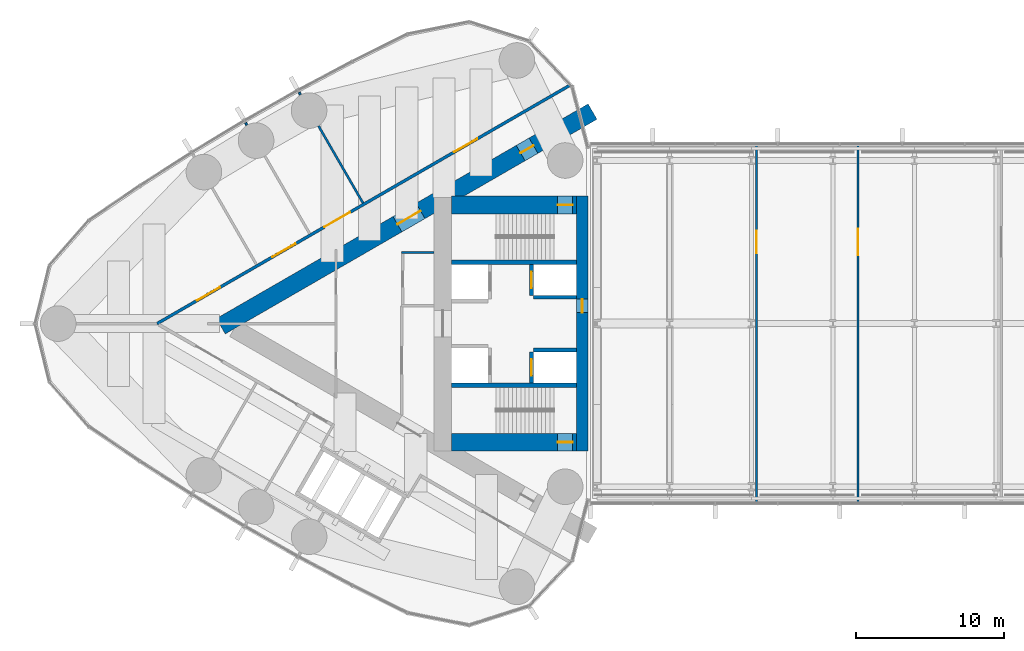
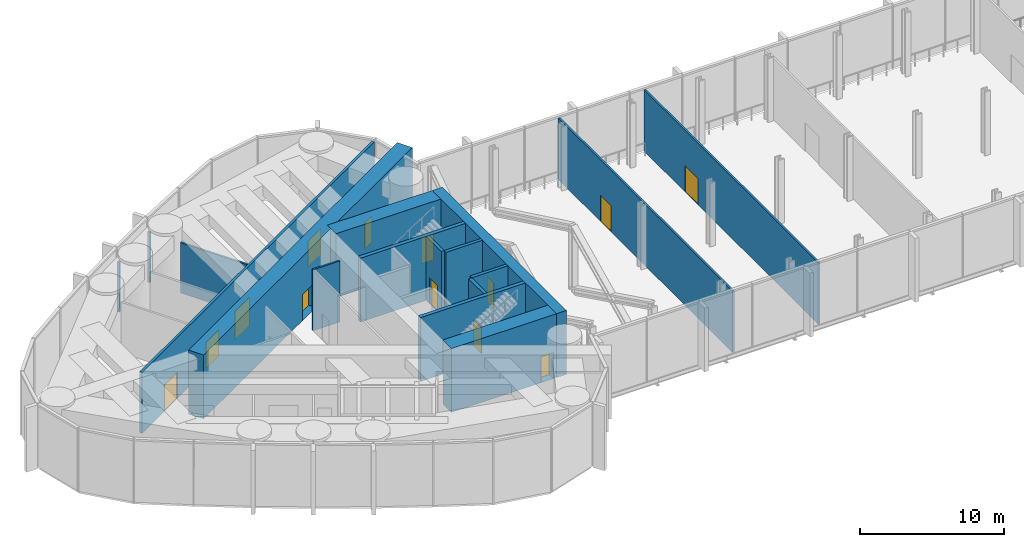
# One storey, part 16 of 21: 17 walls, 13 doors, 13 openings.
"""IFC4 building model written with IfcOpenShell, lengths in metres."""

from ifc_helpers import new_model, si_unit, direction, frame, frame_2d, origin, place, context, subcontext, project, spatial, rectangle, extrude, material, layer, layer_set, type_object, element, fill, save


model = new_model("IFC4")

# Units and contexts
model_context = context("Model", 3, precision=1e-05, world=origin(), true_north=direction((0.0, 1.0)))
body_context = subcontext(model_context, "Body", "Model", "MODEL_VIEW")
ifc_project = project(units=[si_unit("LENGTHUNIT", "METRE"), si_unit("AREAUNIT", "SQUARE_METRE"), si_unit("VOLUMEUNIT", "CUBIC_METRE"), si_unit("PLANEANGLEUNIT", "RADIAN"), si_unit("MASSUNIT", "GRAM", prefix="KILO")], contexts=[model_context])

# Site, building, storey
site_placement = place(None, origin())
site = spatial("IfcSite", under=ifc_project, at=site_placement, CompositionType="ELEMENT")
building_placement = place(site_placement, origin())
building = spatial("IfcBuilding", under=site, at=building_placement, Name="Lancet Gate Hotel", CompositionType="ELEMENT")
storey_placement = place(building_placement, frame((0.0, 0.0, 251.89990234375)))
storey = spatial("IfcBuildingStorey", under=building, at=storey_placement, Name="L67", CompositionType="ELEMENT", Elevation=251.89990234375)

# Wall, openings, doors
ifc_material_1 = material(Name="Concrete C70/85", Category="concrete")
ifc_layer_1 = layer(ifc_material_1, 1.199951171875)
ifc_layer_set_1 = layer_set([ifc_layer_1], Name="Buttress wall 1200")
wall_type_1 = type_object("IfcWallType", Name="Buttress wall 1200", PredefinedType="SHEAR", material=ifc_layer_set_1)
wall_1_placement = place(storey_placement, frame((-27.199951171875, 14.300048828125, 0.0), z_axis=(0.0, 0.0, 1.0), x_axis=(-0.866026593062, -0.499997940104, 0.0)))
wall_1 = element("IfcWall", 1, at=wall_1_placement, inside=storey, type_object=wall_type_1, Name="T1 buttress wall S L67", PredefinedType="SHEAR", context=body_context, shape_type="SweptSolid", body=[
    extrude(rectangle(XDim=28.9462890625, YDim=1.199951171875, at=frame_2d((14.47314453125, 0.0))), origin(), (0.0, 0.0, 1.0), 5.400146484375),
])
opening_1_placement = place(wall_1_placement, frame((4.60009765625, 0.0, 0.0)))
opening_1 = element("IfcOpeningElement", 2, at=opening_1_placement, cuts=wall_1, Name="Opening T1-L67-LS", PredefinedType="OPENING", context=body_context, shape_type="SweptSolid", body=[
    extrude(rectangle(XDim=1.0, YDim=2.199951171875, at=frame_2d((0.5, 1.10009765625))), frame((0.0, 0.60986328125, 0.0), z_axis=(0.0, -1.0, 0.0), x_axis=(1.0, 0.0, 0.0)), (0.0, 0.0, 1.0), 1.219970703125),
])
opening_2_placement = place(wall_1_placement, frame((13.39453125, 0.0, 0.0)))
opening_2 = element("IfcOpeningElement", 3, at=opening_2_placement, cuts=wall_1, Name="Opening T1-L67-LHS", PredefinedType="OPENING", context=body_context, shape_type="SweptSolid", body=[
    extrude(rectangle(XDim=1.800048828125, YDim=2.199951171875, at=frame_2d((0.89990234375, 1.10009765625))), frame((0.0, 0.60986328125, 0.0), z_axis=(0.0, -1.0, 0.0), x_axis=(1.0, 0.0, 0.0)), (0.0, 0.0, 1.0), 1.219970703125),
])
ifc_material_2 = material(Name="Timber door set", Category="wood")
door_type_1 = type_object("IfcDoorType", Name="Lobby double door 1800", OperationType="DOUBLE_DOOR_SINGLE_SWING", PredefinedType="DOOR", material=ifc_material_2)
door_1_placement = place(opening_2_placement, origin())
door_1 = element("IfcDoor", 4, at=door_1_placement, inside=storey, type_object=door_type_1, Name="T1-L67-LHS", OperationType="DOUBLE_DOOR_SINGLE_SWING", OverallHeight=2.199951171875, OverallWidth=1.800048828125, PredefinedType="DOOR", context=body_context, shape_type="SweptSolid", body=[
    extrude(rectangle(XDim=1.800048828125, YDim=2.199951171875, at=frame_2d((0.89990234375, 1.10009765625))), frame((0.0, 0.02490234375, 0.0), z_axis=(0.0, -1.0, 0.0), x_axis=(1.0, 0.0, 0.0)), (0.0, 0.0, 1.0), 0.050048828125),
])
fill(opening_2, door_1)
ifc_material_3 = material(Name="Timber door set", Category="wood")
door_type_2 = type_object("IfcDoorType", Name="Stair lobby door 1000", OperationType="SINGLE_SWING_LEFT", PredefinedType="DOOR", material=ifc_material_3)
door_2_placement = place(opening_1_placement, origin())
door_2 = element("IfcDoor", 5, at=door_2_placement, inside=storey, type_object=door_type_2, Name="T1-L67-LS", OperationType="SINGLE_SWING_LEFT", OverallHeight=2.199951171875, OverallWidth=1.0, PredefinedType="DOOR", context=body_context, shape_type="SweptSolid", body=[
    extrude(rectangle(XDim=1.0, YDim=2.199951171875, at=frame_2d((0.5, 1.10009765625))), frame((0.0, 0.02490234375, 0.0), z_axis=(0.0, -1.0, 0.0), x_axis=(1.0, 0.0, 0.0)), (0.0, 0.0, 1.0), 0.050048828125),
])
fill(opening_1, door_2)

# Wall, opening, door
ifc_material_4 = material(Name="Concrete C70/85", Category="concrete")
ifc_layer_2 = layer(ifc_material_4, 1.199951171875)
ifc_layer_set_2 = layer_set([ifc_layer_2], Name="Core wall 1200")
wall_type_2 = type_object("IfcWallType", Name="Core wall 1200", PredefinedType="SHEAR", material=ifc_layer_set_2)
wall_2_placement = place(storey_placement, frame((-28.300048828125, 8.0, 0.0), z_axis=(0.0, 0.0, 1.0), x_axis=(-1.0, 0.0, 0.0)))
wall_2 = element("IfcWall", 6, at=wall_2_placement, inside=storey, type_object=wall_type_2, Name="T1 core wall side-S L67", PredefinedType="SHEAR", context=body_context, shape_type="SweptSolid", body=[
    extrude(rectangle(XDim=8.39990234375, YDim=1.199951171875, at=frame_2d((4.199951171875, 0.0))), origin(), (0.0, 0.0, 1.0), 5.400146484375),
])
opening_3_placement = place(wall_2_placement, frame((0.25, 0.0, 0.0)))
opening_3 = element("IfcOpeningElement", 7, at=opening_3_placement, cuts=wall_2, Name="Opening T1-L67-ST1", PredefinedType="OPENING", context=body_context, shape_type="SweptSolid", body=[
    extrude(rectangle(XDim=1.0, YDim=2.199951171875, at=frame_2d((0.5, 1.10009765625))), frame((0.0, 0.60986328125, 0.0), z_axis=(0.0, -1.0, 0.0), x_axis=(1.0, 0.0, 0.0)), (0.0, 0.0, 1.0), 1.219970703125),
])
ifc_material_5 = material(Name="Timber door set", Category="wood")
door_type_3 = type_object("IfcDoorType", Name="Stair door 1000", OperationType="SINGLE_SWING_RIGHT", PredefinedType="DOOR", material=ifc_material_5)
door_3_placement = place(opening_3_placement, origin())
door_3 = element("IfcDoor", 8, at=door_3_placement, inside=storey, type_object=door_type_3, Name="T1-L67-ST1", OperationType="SINGLE_SWING_RIGHT", OverallHeight=2.199951171875, OverallWidth=1.0, PredefinedType="DOOR", context=body_context, shape_type="SweptSolid", body=[
    extrude(rectangle(XDim=1.0, YDim=2.199951171875, at=frame_2d((0.5, 1.10009765625))), frame((0.0, 0.02490234375, 0.0), z_axis=(0.0, -1.0, 0.0), x_axis=(1.0, 0.0, 0.0)), (0.0, 0.0, 1.0), 0.050048828125),
])
fill(opening_3, door_3)

wall_3_placement = place(storey_placement, frame((-28.300048828125, -8.0, 0.0), z_axis=(0.0, 0.0, 1.0), x_axis=(-1.0, 0.0, 0.0)))
wall_3 = element("IfcWall", 9, at=wall_3_placement, inside=storey, type_object=wall_type_2, Name="T1 core wall side-N L67", PredefinedType="SHEAR", context=body_context, shape_type="SweptSolid", body=[
    extrude(rectangle(XDim=8.39990234375, YDim=1.199951171875, at=frame_2d((4.199951171875, 0.0))), origin(), (0.0, 0.0, 1.0), 5.400146484375),
])
opening_4_placement = place(wall_3_placement, frame((0.25, 0.0, 0.0)))
opening_4 = element("IfcOpeningElement", 10, at=opening_4_placement, cuts=wall_3, Name="Opening T1-L67-ST2", PredefinedType="OPENING", context=body_context, shape_type="SweptSolid", body=[
    extrude(rectangle(XDim=1.0, YDim=2.199951171875, at=frame_2d((0.5, 1.10009765625))), frame((0.0, 0.60986328125, 0.0), z_axis=(0.0, -1.0, 0.0), x_axis=(1.0, 0.0, 0.0)), (0.0, 0.0, 1.0), 1.219970703125),
])
door_4_placement = place(opening_4_placement, origin())
door_4 = element("IfcDoor", 11, at=door_4_placement, inside=storey, type_object=door_type_3, Name="T1-L67-ST2", OperationType="SINGLE_SWING_RIGHT", OverallHeight=2.199951171875, OverallWidth=1.0, PredefinedType="DOOR", context=body_context, shape_type="SweptSolid", body=[
    extrude(rectangle(XDim=1.0, YDim=2.199951171875, at=frame_2d((0.5, 1.10009765625))), frame((0.0, 0.02490234375, 0.0), z_axis=(0.0, -1.0, 0.0), x_axis=(1.0, 0.0, 0.0)), (0.0, 0.0, 1.0), 0.050048828125),
])
fill(opening_4, door_4)

ifc_material_6 = material(Name="Concrete C70/85", Category="concrete")
ifc_layer_3 = layer(ifc_material_6, 0.800048828125)
ifc_layer_set_3 = layer_set([ifc_layer_3], Name="Core wall 800")
wall_type_3 = type_object("IfcWallType", Name="Core wall 800", PredefinedType="SHEAR", material=ifc_layer_set_3)
wall_4_placement = place(storey_placement, frame((-27.89990234375, 8.60009765625, 0.0), z_axis=(0.0, 0.0, 1.0), x_axis=(0.0, -1.0, 0.0)))
wall_4 = element("IfcWall", 12, at=wall_4_placement, inside=storey, type_object=wall_type_3, Name="T1 core wall front L67", PredefinedType="SHEAR", context=body_context, shape_type="SweptSolid", body=[
    extrude(rectangle(XDim=17.2001953125, YDim=0.800048828125, at=frame_2d((8.60009765625, 0.0))), origin(), (0.0, 0.0, 1.0), 5.400146484375),
])
opening_5_placement = place(wall_4_placement, frame((6.949951171875, 0.0, 0.0)))
opening_5 = element("IfcOpeningElement", 13, at=opening_5_placement, cuts=wall_4, Name="Opening T1-L67-BR", PredefinedType="OPENING", context=body_context, shape_type="SweptSolid", body=[
    extrude(rectangle(XDim=0.89990234375, YDim=2.199951171875, at=frame_2d((0.449951171875, 1.10009765625))), frame((0.0, 0.409912109375, 0.0), z_axis=(0.0, -1.0, 0.0), x_axis=(1.0, 0.0, 0.0)), (0.0, 0.0, 1.0), 0.820068359375),
])
ifc_material_7 = material(Name="Steel door set", Category="steel")
door_type_4 = type_object("IfcDoorType", Name="Bridge fire door 900", OperationType="SINGLE_SWING_LEFT", PredefinedType="DOOR", material=ifc_material_7)
door_5_placement = place(opening_5_placement, origin())
door_5 = element("IfcDoor", 14, at=door_5_placement, inside=storey, type_object=door_type_4, Name="T1-L67-BR", OperationType="SINGLE_SWING_LEFT", OverallHeight=2.199951171875, OverallWidth=0.89990234375, PredefinedType="DOOR", context=body_context, shape_type="SweptSolid", body=[
    extrude(rectangle(XDim=0.89990234375, YDim=2.199951171875, at=frame_2d((0.449951171875, 1.10009765625))), frame((0.0, 0.02490234375, 0.0), z_axis=(0.0, -1.0, 0.0), x_axis=(1.0, 0.0, 0.0)), (0.0, 0.0, 1.0), 0.050048828125),
])
fill(opening_5, door_5)

# Wall, openings, doors
ifc_material_8 = material(Name="Gypsum board partition")
ifc_layer_4 = layer(ifc_material_8, 0.199951171875)
ifc_layer_set_4 = layer_set([ifc_layer_4], Name="Corridor wall 200")
wall_type_4 = type_object("IfcWallType", Name="Corridor wall 200", PredefinedType="PARTITIONING", material=ifc_layer_set_4)
wall_5_placement = place(storey_placement, frame((-28.681396484375, 16.1005859375, 0.0), z_axis=(0.0, 0.0, 1.0), x_axis=(-0.866024860443, -0.500000941094, 0.0)))
wall_5 = element("IfcWall", 15, at=wall_5_placement, inside=storey, type_object=wall_type_4, Name="T1 corridor wall 200 L67", PredefinedType="PARTITIONING", context=body_context, shape_type="SweptSolid", body=[
    extrude(rectangle(XDim=32.201171875, YDim=0.199951171875, at=frame_2d((16.1005859375, 0.0))), origin(), (0.0, 0.0, 1.0), 5.150146484375),
])
opening_6_placement = place(wall_5_placement, frame((7.265869140625, 0.0, 0.0)))
opening_6 = element("IfcOpeningElement", 16, at=opening_6_placement, cuts=wall_5, Name="Opening T1-L67-DR01", PredefinedType="OPENING", context=body_context, shape_type="SweptSolid", body=[
    extrude(rectangle(XDim=1.800048828125, YDim=2.199951171875, at=frame_2d((0.89990234375, 1.10009765625))), frame((0.0, 0.10986328125, 0.0), z_axis=(0.0, -1.0, 0.0), x_axis=(1.0, 0.0, 0.0)), (0.0, 0.0, 1.0), 0.219970703125),
])
opening_7_placement = place(wall_5_placement, frame((17.181640625, 0.0, 0.0)))
opening_7 = element("IfcOpeningElement", 17, at=opening_7_placement, cuts=wall_5, Name="Opening T1-L67-DR02", PredefinedType="OPENING", context=body_context, shape_type="SweptSolid", body=[
    extrude(rectangle(XDim=2.0, YDim=2.39990234375, at=frame_2d((1.0, 1.199951171875))), frame((0.0, 0.10986328125, 0.0), z_axis=(0.0, -1.0, 0.0), x_axis=(1.0, 0.0, 0.0)), (0.0, 0.0, 1.0), 0.219970703125),
])
opening_8_placement = place(wall_5_placement, frame((21.430419921875, 0.0, 0.0)))
opening_8 = element("IfcOpeningElement", 18, at=opening_8_placement, cuts=wall_5, Name="Opening T1-L67-DR03", PredefinedType="OPENING", context=body_context, shape_type="SweptSolid", body=[
    extrude(rectangle(XDim=1.800048828125, YDim=2.199951171875, at=frame_2d((0.89990234375, 1.10009765625))), frame((0.0, 0.10986328125, 0.0), z_axis=(0.0, -1.0, 0.0), x_axis=(1.0, 0.0, 0.0)), (0.0, 0.0, 1.0), 0.219970703125),
])
opening_9_placement = place(wall_5_placement, frame((27.290283203125, 0.0, 0.0)))
opening_9 = element("IfcOpeningElement", 19, at=opening_9_placement, cuts=wall_5, Name="Opening T1-L67-DR04", PredefinedType="OPENING", context=body_context, shape_type="SweptSolid", body=[
    extrude(rectangle(XDim=1.800048828125, YDim=2.199951171875, at=frame_2d((0.89990234375, 1.10009765625))), frame((0.0, 0.10986328125, 0.0), z_axis=(0.0, -1.0, 0.0), x_axis=(1.0, 0.0, 0.0)), (0.0, 0.0, 1.0), 0.219970703125),
])
ifc_material_9 = material(Name="Timber door set", Category="wood")
door_type_5 = type_object("IfcDoorType", Name="Double door 1800", OperationType="DOUBLE_DOOR_SINGLE_SWING", PredefinedType="DOOR", material=ifc_material_9)
door_6_placement = place(opening_6_placement, origin())
door_6 = element("IfcDoor", 20, at=door_6_placement, inside=storey, type_object=door_type_5, Name="T1-L67-DR01", OperationType="DOUBLE_DOOR_SINGLE_SWING", OverallHeight=2.199951171875, OverallWidth=1.800048828125, PredefinedType="DOOR", context=body_context, shape_type="SweptSolid", body=[
    extrude(rectangle(XDim=1.800048828125, YDim=2.199951171875, at=frame_2d((0.89990234375, 1.10009765625))), frame((0.0, 0.02490234375, 0.0), z_axis=(0.0, -1.0, 0.0), x_axis=(1.0, 0.0, 0.0)), (0.0, 0.0, 1.0), 0.050048828125),
])
fill(opening_6, door_6)
door_7_placement = place(opening_8_placement, origin())
door_7 = element("IfcDoor", 21, at=door_7_placement, inside=storey, type_object=door_type_5, Name="T1-L67-DR03", OperationType="DOUBLE_DOOR_SINGLE_SWING", OverallHeight=2.199951171875, OverallWidth=1.800048828125, PredefinedType="DOOR", context=body_context, shape_type="SweptSolid", body=[
    extrude(rectangle(XDim=1.800048828125, YDim=2.199951171875, at=frame_2d((0.89990234375, 1.10009765625))), frame((0.0, 0.02490234375, 0.0), z_axis=(0.0, -1.0, 0.0), x_axis=(1.0, 0.0, 0.0)), (0.0, 0.0, 1.0), 0.050048828125),
])
fill(opening_8, door_7)
door_8_placement = place(opening_9_placement, origin())
door_8 = element("IfcDoor", 22, at=door_8_placement, inside=storey, type_object=door_type_5, Name="T1-L67-DR04", OperationType="DOUBLE_DOOR_SINGLE_SWING", OverallHeight=2.199951171875, OverallWidth=1.800048828125, PredefinedType="DOOR", context=body_context, shape_type="SweptSolid", body=[
    extrude(rectangle(XDim=1.800048828125, YDim=2.199951171875, at=frame_2d((0.89990234375, 1.10009765625))), frame((0.0, 0.02490234375, 0.0), z_axis=(0.0, -1.0, 0.0), x_axis=(1.0, 0.0, 0.0)), (0.0, 0.0, 1.0), 0.050048828125),
])
fill(opening_9, door_8)
ifc_material_10 = material(Name="Timber door set", Category="wood")
door_type_6 = type_object("IfcDoorType", Name="Plant room double door 2000", OperationType="DOUBLE_DOOR_SINGLE_SWING", PredefinedType="DOOR", material=ifc_material_10)
door_9_placement = place(opening_7_placement, origin())
door_9 = element("IfcDoor", 23, at=door_9_placement, inside=storey, type_object=door_type_6, Name="T1-L67-DR02", OperationType="DOUBLE_DOOR_SINGLE_SWING", OverallHeight=2.39990234375, OverallWidth=2.0, PredefinedType="DOOR", context=body_context, shape_type="SweptSolid", body=[
    extrude(rectangle(XDim=2.0, YDim=2.39990234375, at=frame_2d((1.0, 1.199951171875))), frame((0.0, 0.02490234375, 0.0), z_axis=(0.0, -1.0, 0.0), x_axis=(1.0, 0.0, 0.0)), (0.0, 0.0, 1.0), 0.050048828125),
])
fill(opening_7, door_9)

# Wall, opening, door
ifc_material_11 = material(Name="Concrete C50/60", Category="concrete")
ifc_layer_5 = layer(ifc_material_11, 0.25)
ifc_layer_set_5 = layer_set([ifc_layer_5], Name="Lift shaft wall 250")
wall_type_5 = type_object("IfcWallType", Name="Lift shaft wall 250", PredefinedType="SHEAR", material=ifc_layer_set_5)
wall_6_placement = place(storey_placement, frame((-31.324951171875, 4.0, 0.0), z_axis=(0.0, 0.0, 1.0), x_axis=(0.0, -1.0, 0.0)))
wall_6 = element("IfcWall", 24, at=wall_6_placement, inside=storey, type_object=wall_type_5, Name="T1 core wall row1-S L67", PredefinedType="SHEAR", context=body_context, shape_type="SweptSolid", body=[
    extrude(rectangle(XDim=2.10009765625, YDim=0.25, at=frame_2d((1.050048828125, 0.0))), origin(), (0.0, 0.0, 1.0), 5.400146484375),
])
opening_10_placement = place(wall_6_placement, frame((0.5, 0.0, 0.0)))
opening_10 = element("IfcOpeningElement", 25, at=opening_10_placement, cuts=wall_6, Name="Opening T1-SL1-L67", PredefinedType="OPENING", context=body_context, shape_type="SweptSolid", body=[
    extrude(rectangle(XDim=1.10009765625, YDim=2.199951171875, at=frame_2d((0.550048828125, 1.10009765625))), frame((0.0, 0.135009765625, 0.0), z_axis=(0.0, -1.0, 0.0), x_axis=(1.0, 0.0, 0.0)), (0.0, 0.0, 1.0), 0.27001953125),
])
ifc_material_12 = material(Name="Timber door set", Category="wood")
door_type_7 = type_object("IfcDoorType", Name="Service lift landing door 1100", OperationType="SLIDING_TO_LEFT", PredefinedType="USERDEFINED", material=ifc_material_12)
door_10_placement = place(opening_10_placement, origin())
door_10 = element("IfcDoor", 26, at=door_10_placement, inside=storey, type_object=door_type_7, Name="T1-SL1-L67", ObjectType="LIFT LANDING DOOR", OperationType="SLIDING_TO_LEFT", OverallHeight=2.199951171875, OverallWidth=1.10009765625, PredefinedType="USERDEFINED", context=body_context, shape_type="SweptSolid", body=[
    extrude(rectangle(XDim=1.10009765625, YDim=2.199951171875, at=frame_2d((0.550048828125, 1.10009765625))), frame((0.0, 0.02490234375, 0.0), z_axis=(0.0, -1.0, 0.0), x_axis=(1.0, 0.0, 0.0)), (0.0, 0.0, 1.0), 0.050048828125),
])
fill(opening_10, door_10)

# Wall
wall_7_placement = place(storey_placement, frame((-28.300048828125, 1.77490234375, 0.0), z_axis=(0.0, 0.0, 1.0), x_axis=(-1.0, 0.0, 0.0)))
element("IfcWall", 27, at=wall_7_placement, inside=storey, type_object=wall_type_5, Name="T1 core wall pass1-S L67", PredefinedType="SHEAR", context=body_context, shape_type="SweptSolid", body=[
    extrude(rectangle(XDim=2.89990234375, YDim=0.25, at=frame_2d((1.449951171875, 0.0))), origin(), (0.0, 0.0, 1.0), 5.400146484375),
])

# Wall, opening, door
wall_8_placement = place(storey_placement, frame((-31.324951171875, -1.89990234375, 0.0), z_axis=(0.0, 0.0, 1.0), x_axis=(0.0, -1.0, 0.0)))
wall_8 = element("IfcWall", 28, at=wall_8_placement, inside=storey, type_object=wall_type_5, Name="T1 core wall row1-N L67", PredefinedType="SHEAR", context=body_context, shape_type="SweptSolid", body=[
    extrude(rectangle(XDim=2.10009765625, YDim=0.25, at=frame_2d((1.050048828125, 0.0))), origin(), (0.0, 0.0, 1.0), 5.400146484375),
])
opening_11_placement = place(wall_8_placement, frame((0.5, 0.0, 0.0)))
opening_11 = element("IfcOpeningElement", 29, at=opening_11_placement, cuts=wall_8, Name="Opening T1-FL2-L67", PredefinedType="OPENING", context=body_context, shape_type="SweptSolid", body=[
    extrude(rectangle(XDim=1.10009765625, YDim=2.199951171875, at=frame_2d((0.550048828125, 1.10009765625))), frame((0.0, 0.135009765625, 0.0), z_axis=(0.0, -1.0, 0.0), x_axis=(1.0, 0.0, 0.0)), (0.0, 0.0, 1.0), 0.27001953125),
])
ifc_material_13 = material(Name="Steel door set", Category="steel")
door_type_8 = type_object("IfcDoorType", Name="Firefighting lift landing door 1100", OperationType="SLIDING_TO_LEFT", PredefinedType="USERDEFINED", material=ifc_material_13)
door_11_placement = place(opening_11_placement, origin())
door_11 = element("IfcDoor", 30, at=door_11_placement, inside=storey, type_object=door_type_8, Name="T1-FL2-L67", ObjectType="LIFT LANDING DOOR", OperationType="SLIDING_TO_LEFT", OverallHeight=2.199951171875, OverallWidth=1.10009765625, PredefinedType="USERDEFINED", context=body_context, shape_type="SweptSolid", body=[
    extrude(rectangle(XDim=1.10009765625, YDim=2.199951171875, at=frame_2d((0.550048828125, 1.10009765625))), frame((0.0, 0.02490234375, 0.0), z_axis=(0.0, -1.0, 0.0), x_axis=(1.0, 0.0, 0.0)), (0.0, 0.0, 1.0), 0.050048828125),
])
fill(opening_11, door_11)

# Walls
wall_9_placement = place(storey_placement, frame((-28.300048828125, -1.77490234375, 0.0), z_axis=(0.0, 0.0, 1.0), x_axis=(-1.0, 0.0, 0.0)))
element("IfcWall", 31, at=wall_9_placement, inside=storey, type_object=wall_type_5, Name="T1 core wall pass1-N L67", PredefinedType="SHEAR", context=body_context, shape_type="SweptSolid", body=[
    extrude(rectangle(XDim=2.89990234375, YDim=0.25, at=frame_2d((1.449951171875, 0.0))), origin(), (0.0, 0.0, 1.0), 5.400146484375),
])
ifc_material_14 = material(Name="Gypsum board partition")
ifc_layer_6 = layer(ifc_material_14, 0.14990234375)
ifc_layer_set_6 = layer_set([ifc_layer_6], Name="Party wall 150")
wall_type_6 = type_object("IfcWallType", Name="Party wall 150", PredefinedType="PARTITIONING", material=ifc_layer_set_6)
wall_10_placement = place(storey_placement, frame((-42.680419921875, 8.133544921875, 0.0), z_axis=(0.0, 0.0, 1.0), x_axis=(-0.499984479505, 0.866034364361, 0.0)))
element("IfcWall", 32, at=wall_10_placement, inside=storey, type_object=wall_type_6, Name="T1 party wall 150 L67", PredefinedType="PARTITIONING", context=body_context, shape_type="SweptSolid", body=[
    extrude(rectangle(XDim=5.995361328125, YDim=0.14990234375, at=frame_2d((2.99755859375, 0.0))), origin(), (0.0, 0.0, 1.0), 4.25),
])
wall_11_placement = place(storey_placement, frame((-46.89794921875, 15.438720703125, 0.0), z_axis=(0.0, 0.0, 1.0), x_axis=(-0.500232303069, 0.865891241997, 0.0)))
element("IfcWall", 33, at=wall_11_placement, inside=storey, type_object=wall_type_6, Name="T1 party wall 150 L67", PredefinedType="PARTITIONING", context=body_context, shape_type="SweptSolid", body=[
    extrude(rectangle(XDim=0.1796875, YDim=0.14990234375, at=frame_2d((0.08984375, 0.0))), origin(), (0.0, 0.0, 1.0), 4.25),
])
wall_12_placement = place(storey_placement, frame((-50.507568359375, 13.392333984375, 0.0), z_axis=(0.0, 0.0, 1.0), x_axis=(-0.499644091975, 0.866230789891, 0.0)))
element("IfcWall", 34, at=wall_12_placement, inside=storey, type_object=wall_type_6, Name="T1 party wall 150 L67", PredefinedType="PARTITIONING", context=body_context, shape_type="SweptSolid", body=[
    extrude(rectangle(XDim=0.179931640625, YDim=0.14990234375, at=frame_2d((0.08984375, 0.0))), origin(), (0.0, 0.0, 1.0), 4.25),
])
ifc_material_15 = material(Name="Gypsum board partition")
ifc_layer_7 = layer(ifc_material_15, 0.14990234375)
ifc_layer_set_7 = layer_set([ifc_layer_7], Name="Service room wall 150")
wall_type_7 = type_object("IfcWallType", Name="Service room wall 150", PredefinedType="PARTITIONING", material=ifc_layer_set_7)
wall_13_placement = place(storey_placement, frame((-37.89990234375, 4.800048828125, 0.0), z_axis=(0.0, 0.0, 1.0), x_axis=(-1.0, 0.0, 0.0)))
element("IfcWall", 35, at=wall_13_placement, inside=storey, type_object=wall_type_7, Name="T1 service room wall 150 L67", PredefinedType="PARTITIONING", context=body_context, shape_type="SweptSolid", body=[
    extrude(rectangle(XDim=2.175048828125, YDim=0.14990234375, at=frame_2d((1.08740234375, 0.0))), origin(), (0.0, 0.0, 1.0), 5.150146484375),
])

# Wall, opening, door
wall_14_placement = place(storey_placement, frame((-16.14990234375, -12.070068359375, 0.0), z_axis=(0.0, 0.0, 1.0), x_axis=(0.0, 1.0, 0.0)))
wall_14 = element("IfcWall", 36, at=wall_14_placement, inside=storey, type_object=wall_type_7, Name="Bridge block service room wall 150 L67", PredefinedType="PARTITIONING", context=body_context, shape_type="SweptSolid", body=[
    extrude(rectangle(XDim=24.14013671875, YDim=0.14990234375, at=frame_2d((12.070068359375, 0.0))), origin(), (0.0, 0.0, 1.0), 5.2001953125),
])
opening_12_placement = place(wall_14_placement, frame((16.820068359375, 0.0, 0.0)))
opening_12 = element("IfcOpeningElement", 37, at=opening_12_placement, cuts=wall_14, Name="Opening BR-L67-BK2", PredefinedType="OPENING", context=body_context, shape_type="SweptSolid", body=[
    extrude(rectangle(XDim=1.5, YDim=2.199951171875, at=frame_2d((0.75, 1.10009765625))), frame((0.0, 0.0849609375, 0.0), z_axis=(0.0, -1.0, 0.0), x_axis=(1.0, 0.0, 0.0)), (0.0, 0.0, 1.0), 0.169921875),
])
ifc_material_16 = material(Name="Timber door set", Category="wood")
door_type_9 = type_object("IfcDoorType", Name="Kitchen double door 1500", OperationType="DOUBLE_SWING_LEFT", PredefinedType="DOOR", material=ifc_material_16)
door_12_placement = place(opening_12_placement, origin())
door_12 = element("IfcDoor", 38, at=door_12_placement, inside=storey, type_object=door_type_9, Name="BR-L67-BK2", OperationType="DOUBLE_SWING_LEFT", OverallHeight=2.199951171875, OverallWidth=1.5, PredefinedType="DOOR", context=body_context, shape_type="SweptSolid", body=[
    extrude(rectangle(XDim=1.5, YDim=2.199951171875, at=frame_2d((0.75, 1.10009765625))), frame((0.0, 0.02490234375, 0.0), z_axis=(0.0, -1.0, 0.0), x_axis=(1.0, 0.0, 0.0)), (0.0, 0.0, 1.0), 0.050048828125),
])
fill(opening_12, door_12)

wall_15_placement = place(storey_placement, frame((-9.300048828125, -12.070068359375, 0.0), z_axis=(0.0, 0.0, 1.0), x_axis=(0.0, 1.0, 0.0)))
wall_15 = element("IfcWall", 39, at=wall_15_placement, inside=storey, type_object=wall_type_7, Name="Bridge block service room wall 150 L67", PredefinedType="PARTITIONING", context=body_context, shape_type="SweptSolid", body=[
    extrude(rectangle(XDim=24.14013671875, YDim=0.14990234375, at=frame_2d((12.070068359375, 0.0))), origin(), (0.0, 0.0, 1.0), 5.2001953125),
])
opening_13_placement = place(wall_15_placement, frame((16.669921875, 0.0, 0.0)))
opening_13 = element("IfcOpeningElement", 40, at=opening_13_placement, cuts=wall_15, Name="Opening BR-L67-BK3", PredefinedType="OPENING", context=body_context, shape_type="SweptSolid", body=[
    extrude(rectangle(XDim=1.800048828125, YDim=2.199951171875, at=frame_2d((0.89990234375, 1.10009765625))), frame((0.0, 0.0849609375, 0.0), z_axis=(0.0, -1.0, 0.0), x_axis=(1.0, 0.0, 0.0)), (0.0, 0.0, 1.0), 0.169921875),
])
door_13_placement = place(opening_13_placement, origin())
door_13 = element("IfcDoor", 41, at=door_13_placement, inside=storey, type_object=door_type_5, Name="BR-L67-BK3", OperationType="DOUBLE_DOOR_SINGLE_SWING", OverallHeight=2.199951171875, OverallWidth=1.800048828125, PredefinedType="DOOR", context=body_context, shape_type="SweptSolid", body=[
    extrude(rectangle(XDim=1.800048828125, YDim=2.199951171875, at=frame_2d((0.89990234375, 1.10009765625))), frame((0.0, 0.02490234375, 0.0), z_axis=(0.0, -1.0, 0.0), x_axis=(1.0, 0.0, 0.0)), (0.0, 0.0, 1.0), 0.050048828125),
])
fill(opening_13, door_13)

# Walls
ifc_material_17 = material(Name="Concrete C50/60", Category="concrete")
ifc_layer_8 = layer(ifc_material_17, 0.300048828125)
ifc_layer_set_8 = layer_set([ifc_layer_8], Name="Stair enclosure wall 300")
wall_type_8 = type_object("IfcWallType", Name="Stair enclosure wall 300", PredefinedType="SHEAR", material=ifc_layer_set_8)
for number, where, z_axis, x_axis, name in (
    (42, (-28.300048828125, 4.14990234375, 0.0), (0.0, 0.0, 1.0), (-1.0, 0.0, 0.0), "T1 core wall stair-S L67"),
    (43, (-28.300048828125, -4.14990234375, 0.0), (0.0, 0.0, 1.0), (-1.0, 0.0, 0.0), "T1 core wall stair-N L67"),
):
    element("IfcWall", number, at=place(storey_placement, frame(where, z_axis=z_axis, x_axis=x_axis)), inside=storey, type_object=wall_type_8, Name=name, PredefinedType="SHEAR", context=body_context, shape_type="SweptSolid", body=[
        extrude(rectangle(XDim=8.39990234375, YDim=0.300048828125, at=frame_2d((4.199951171875, 0.0))), origin(), (0.0, 0.0, 1.0), 5.400146484375),
    ])

save(model, "model.ifc")
